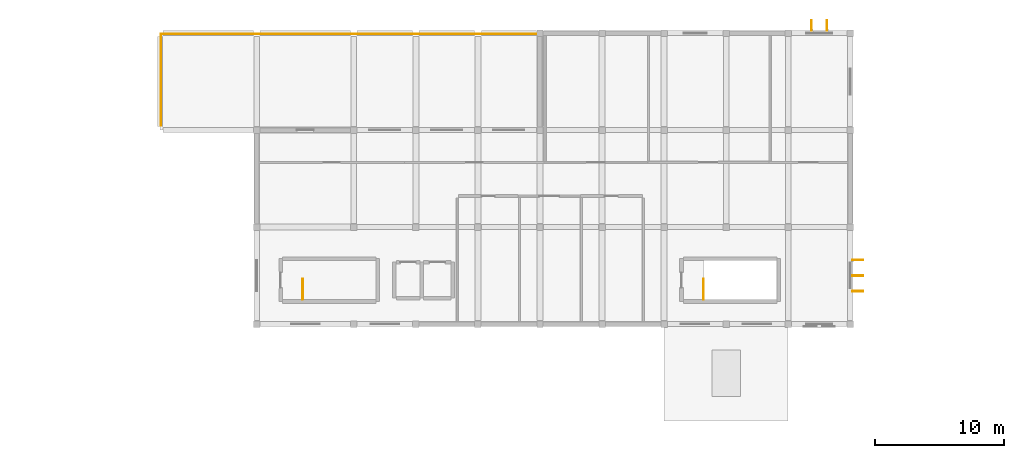
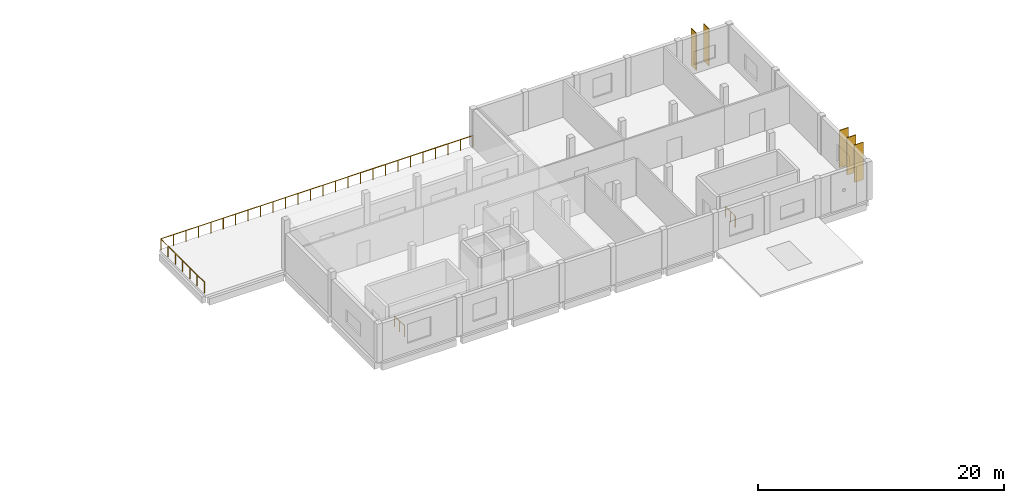
# One storey, part 20 of 21: 5 shading devices, 4 railings.
"""IFC4 building model written with IfcOpenShell, lengths in metres."""

from ifc_helpers import new_model, si_unit, direction, frame, origin, origin_2d, place, context, subcontext, project, spatial, hollow_rectangle, circle, extrude, material, material_profile, profile_set, type_object, element, save


model = new_model("IFC4")

# Units and contexts
model_context = context("Model", 3, precision=1e-05, world=origin(), true_north=direction((0.0, 1.0)))
body_context = subcontext(model_context, "Body", "Model", "MODEL_VIEW")
ifc_project = project(units=[si_unit("LENGTHUNIT", "METRE"), si_unit("AREAUNIT", "SQUARE_METRE"), si_unit("VOLUMEUNIT", "CUBIC_METRE"), si_unit("PLANEANGLEUNIT", "RADIAN"), si_unit("MASSUNIT", "GRAM", prefix="KILO")], contexts=[model_context])

# Site, building, storey
site_placement = place(None, origin())
site = spatial("IfcSite", under=ifc_project, at=site_placement, CompositionType="ELEMENT")
building_placement = place(site_placement, origin())
building = spatial("IfcBuilding", under=site, at=building_placement, Name="Mawjan Specialist Oncology Clinic", CompositionType="ELEMENT")
storey_placement = place(building_placement, frame((0.0, 0.0, 13.5)))
storey = spatial("IfcBuildingStorey", under=building, at=storey_placement, Name="L03", CompositionType="ELEMENT", Elevation=13.5)

# Railings
ifc_material_1 = material(Name="Laminated glass and stainless-steel balustrade", Category="steel")
railing_type_1 = type_object("IfcRailingType", Name="BL-110", PredefinedType="BALUSTRADE", material=ifc_material_1)
railing_1_placement = place(storey_placement, frame((45.080078125, 98.639892578125, 0.0)))
element("IfcRailing", 1, at=railing_1_placement, inside=storey, type_object=railing_type_1, Name="L03 Terrace Edge Balustrade 11", PredefinedType="BALUSTRADE", context=body_context, shape_type="SweptSolid", body=[
    extrude(circle(Radius=0.02392578125, at=origin_2d()), frame((0.0, 0.0, 1.076171875), z_axis=(0.0, 1.0, 0.0), x_axis=(-1.0, 0.0, 0.0)), (0.0, 0.0, 1.0), 7.080078125),
    extrude(circle(Radius=0.02099609375, at=origin_2d()), origin(), (0.0, 0.0, 1.0), 1.052001953125),
    extrude(circle(Radius=0.02099609375, at=origin_2d()), frame((0.0, 1.179931640625, 0.0)), (0.0, 0.0, 1.0), 1.052001953125),
    extrude(circle(Radius=0.02099609375, at=origin_2d()), frame((0.0, 2.360107421875, 0.0)), (0.0, 0.0, 1.0), 1.052001953125),
    extrude(circle(Radius=0.02099609375, at=origin_2d()), frame((0.0, 3.5400390625, 0.0)), (0.0, 0.0, 1.0), 1.052001953125),
    extrude(circle(Radius=0.02099609375, at=origin_2d()), frame((0.0, 4.719970703125, 0.0)), (0.0, 0.0, 1.0), 1.052001953125),
    extrude(circle(Radius=0.02099609375, at=origin_2d()), frame((0.0, 5.900146484375, 0.0)), (0.0, 0.0, 1.0), 1.052001953125),
    extrude(circle(Radius=0.02099609375, at=origin_2d()), frame((0.0, 7.080078125, 0.0)), (0.0, 0.0, 1.0), 1.052001953125),
])
railing_2_placement = place(storey_placement, frame((45.080078125, 105.719970703125, 0.0)))
element("IfcRailing", 2, at=railing_2_placement, inside=storey, type_object=railing_type_1, Name="L03 Terrace Edge Balustrade 12", PredefinedType="BALUSTRADE", context=body_context, shape_type="SweptSolid", body=[
    extrude(circle(Radius=0.02392578125, at=origin_2d()), frame((0.0, 0.0, 1.076171875), z_axis=(1.0, 0.0, 0.0), x_axis=(0.0, 1.0, 0.0)), (0.0, 0.0, 1.0), 29.239990234375),
    extrude(circle(Radius=0.02099609375, at=origin_2d()), origin(), (0.0, 0.0, 1.0), 1.052001953125),
    extrude(circle(Radius=0.02099609375, at=origin_2d()), frame((1.169677734375, 0.0, 0.0)), (0.0, 0.0, 1.0), 1.052001953125),
    extrude(circle(Radius=0.02099609375, at=origin_2d()), frame((2.339111328125, 0.0, 0.0)), (0.0, 0.0, 1.0), 1.052001953125),
    extrude(circle(Radius=0.02099609375, at=origin_2d()), frame((3.5087890625, 0.0, 0.0)), (0.0, 0.0, 1.0), 1.052001953125),
    extrude(circle(Radius=0.02099609375, at=origin_2d()), frame((4.678466796875, 0.0, 0.0)), (0.0, 0.0, 1.0), 1.052001953125),
    extrude(circle(Radius=0.02099609375, at=origin_2d()), frame((5.847900390625, 0.0, 0.0)), (0.0, 0.0, 1.0), 1.052001953125),
    extrude(circle(Radius=0.02099609375, at=origin_2d()), frame((7.017578125, 0.0, 0.0)), (0.0, 0.0, 1.0), 1.052001953125),
    extrude(circle(Radius=0.02099609375, at=origin_2d()), frame((8.187255859375, 0.0, 0.0)), (0.0, 0.0, 1.0), 1.052001953125),
    extrude(circle(Radius=0.02099609375, at=origin_2d()), frame((9.356689453125, 0.0, 0.0)), (0.0, 0.0, 1.0), 1.052001953125),
    extrude(circle(Radius=0.02099609375, at=origin_2d()), frame((10.5263671875, 0.0, 0.0)), (0.0, 0.0, 1.0), 1.052001953125),
    extrude(circle(Radius=0.02099609375, at=origin_2d()), frame((11.696044921875, 0.0, 0.0)), (0.0, 0.0, 1.0), 1.052001953125),
    extrude(circle(Radius=0.02099609375, at=origin_2d()), frame((12.865478515625, 0.0, 0.0)), (0.0, 0.0, 1.0), 1.052001953125),
    extrude(circle(Radius=0.02099609375, at=origin_2d()), frame((14.03515625, 0.0, 0.0)), (0.0, 0.0, 1.0), 1.052001953125),
    extrude(circle(Radius=0.02099609375, at=origin_2d()), frame((15.204833984375, 0.0, 0.0)), (0.0, 0.0, 1.0), 1.052001953125),
    extrude(circle(Radius=0.02099609375, at=origin_2d()), frame((16.37451171875, 0.0, 0.0)), (0.0, 0.0, 1.0), 1.052001953125),
    extrude(circle(Radius=0.02099609375, at=origin_2d()), frame((17.5439453125, 0.0, 0.0)), (0.0, 0.0, 1.0), 1.052001953125),
    extrude(circle(Radius=0.02099609375, at=origin_2d()), frame((18.713623046875, 0.0, 0.0)), (0.0, 0.0, 1.0), 1.052001953125),
    extrude(circle(Radius=0.02099609375, at=origin_2d()), frame((19.88330078125, 0.0, 0.0)), (0.0, 0.0, 1.0), 1.052001953125),
    extrude(circle(Radius=0.02099609375, at=origin_2d()), frame((21.052734375, 0.0, 0.0)), (0.0, 0.0, 1.0), 1.052001953125),
    extrude(circle(Radius=0.02099609375, at=origin_2d()), frame((22.222412109375, 0.0, 0.0)), (0.0, 0.0, 1.0), 1.052001953125),
    extrude(circle(Radius=0.02099609375, at=origin_2d()), frame((23.39208984375, 0.0, 0.0)), (0.0, 0.0, 1.0), 1.052001953125),
    extrude(circle(Radius=0.02099609375, at=origin_2d()), frame((24.5615234375, 0.0, 0.0)), (0.0, 0.0, 1.0), 1.052001953125),
    extrude(circle(Radius=0.02099609375, at=origin_2d()), frame((25.731201171875, 0.0, 0.0)), (0.0, 0.0, 1.0), 1.052001953125),
    extrude(circle(Radius=0.02099609375, at=origin_2d()), frame((26.90087890625, 0.0, 0.0)), (0.0, 0.0, 1.0), 1.052001953125),
    extrude(circle(Radius=0.02099609375, at=origin_2d()), frame((28.0703125, 0.0, 0.0)), (0.0, 0.0, 1.0), 1.052001953125),
    extrude(circle(Radius=0.02099609375, at=origin_2d()), frame((29.239990234375, 0.0, 0.0)), (0.0, 0.0, 1.0), 1.052001953125),
])
ifc_material_2 = material(Name="Powder-coated steel stair guard with vertical infill pickets", Category="steel")
railing_type_2 = type_object("IfcRailingType", Name="GR-110", PredefinedType="GUARDRAIL", material=ifc_material_2)
for number, where, name in (
    (3, (56.050048828125, 85.199951171875, 0.0), "L03 ST-03 top well guard 1"),
    (4, (87.050048828125, 85.199951171875, 0.0), "L03 ST-04 top well guard 1"),
):
    element("IfcRailing", number, at=place(storey_placement, frame(where)), inside=storey, type_object=railing_type_2, Name=name, PredefinedType="GUARDRAIL", context=body_context, shape_type="SweptSolid", body=[
        extrude(circle(Radius=0.02392578125, at=origin_2d()), frame((0.0, 0.0, 1.076171875), z_axis=(0.0, 1.0, 0.0), x_axis=(-1.0, 0.0, 0.0)), (0.0, 0.0, 1.0), 1.60009765625),
        extrude(circle(Radius=0.02099609375, at=origin_2d()), origin(), (0.0, 0.0, 1.0), 1.052001953125),
        extrude(circle(Radius=0.02099609375, at=origin_2d()), frame((0.0, 0.800048828125, 0.0)), (0.0, 0.0, 1.0), 1.052001953125),
        extrude(circle(Radius=0.02099609375, at=origin_2d()), frame((0.0, 1.60009765625, 0.0)), (0.0, 0.0, 1.0), 1.052001953125),
    ])

# Shading devices
ifc_material_3 = material(Name="Bronze-anodised aluminium 6063-T6", Category="aluminium")
ifc_material_profile = material_profile(ifc_material_3, hollow_rectangle(XDim=0.070068359375, YDim=0.85009765625, WallThickness=0.0048828125, at=origin_2d()), Name="FIN 850x70x5", Category="aluminium")
ifc_profile_set = profile_set([ifc_material_profile], Name="Bronze-anodised aluminium 6063-T6")
shading_device_type = type_object("IfcShadingDeviceType", Name="SF-850", PredefinedType="USERDEFINED", material=ifc_profile_set)
for number, where, z_axis, x_axis, name in (
    (5, (95.39990234375, 106.389892578125, 0.0), (0.0, 0.0, 1.0), (1.0, 0.0, 0.0), "L03 Vertical Solar Fin SF-0070"),
    (6, (96.60009765625, 106.389892578125, 0.0), (0.0, 0.0, 1.0), (1.0, 0.0, 0.0), "L03 Vertical Solar Fin SF-0071"),
    (7, (98.989990234375, 88.25, 0.0), (0.0, 0.0, 1.0), (0.0, -1.0, 0.0), "L03 Vertical Solar Fin SF-0072"),
    (8, (98.989990234375, 87.050048828125, 0.0), (0.0, 0.0, 1.0), (0.0, -1.0, 0.0), "L03 Vertical Solar Fin SF-0073"),
    (9, (98.989990234375, 85.85009765625, 0.0), (0.0, 0.0, 1.0), (0.0, -1.0, 0.0), "L03 Vertical Solar Fin SF-0074"),
):
    element("IfcShadingDevice", number, at=place(storey_placement, frame(where, z_axis=z_axis, x_axis=x_axis)), inside=storey, type_object=shading_device_type, Name=name, ObjectType="SOLAR FIN", PredefinedType="USERDEFINED", context=body_context, shape_type="SweptSolid", body=[
        extrude(hollow_rectangle(XDim=0.070068359375, YDim=0.85009765625, WallThickness=0.0048828125, at=origin_2d()), origin(), (0.0, 0.0, 1.0), 3.699951171875),
    ])

save(model, "model.ifc")
